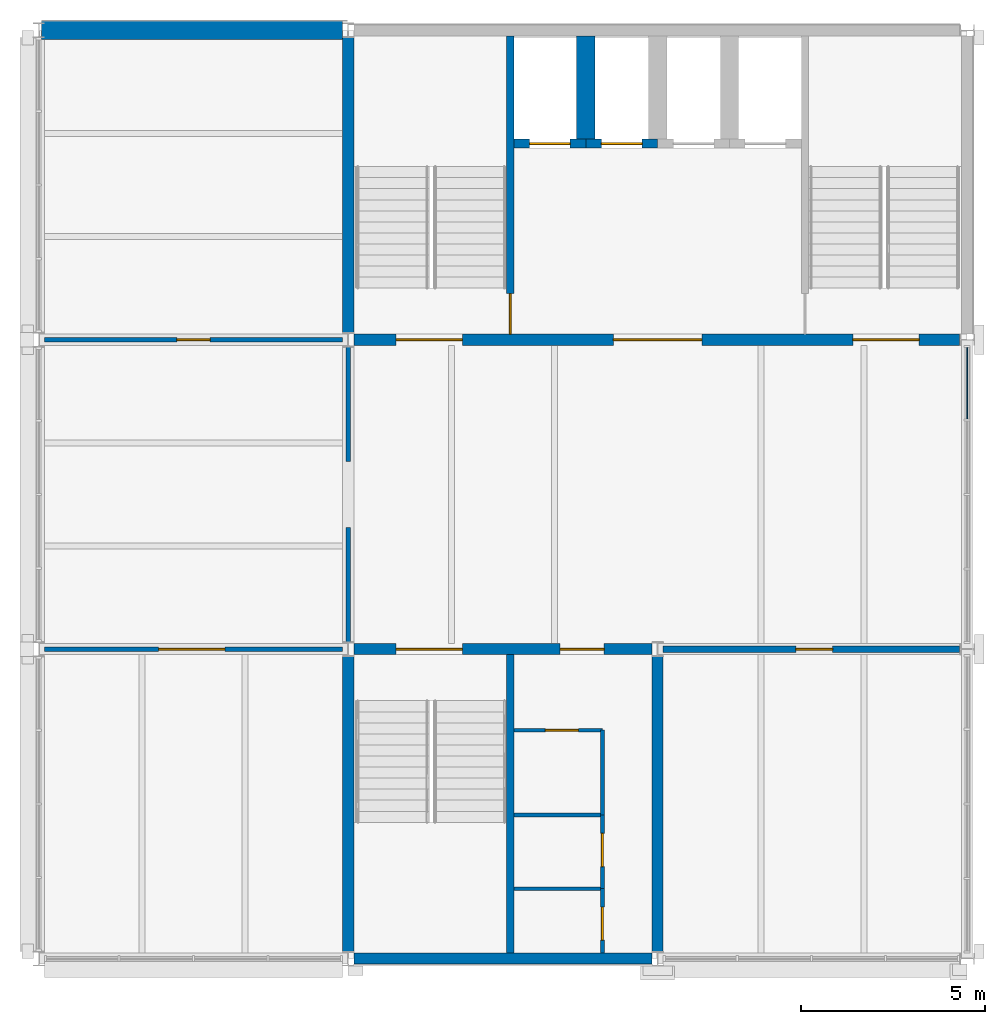
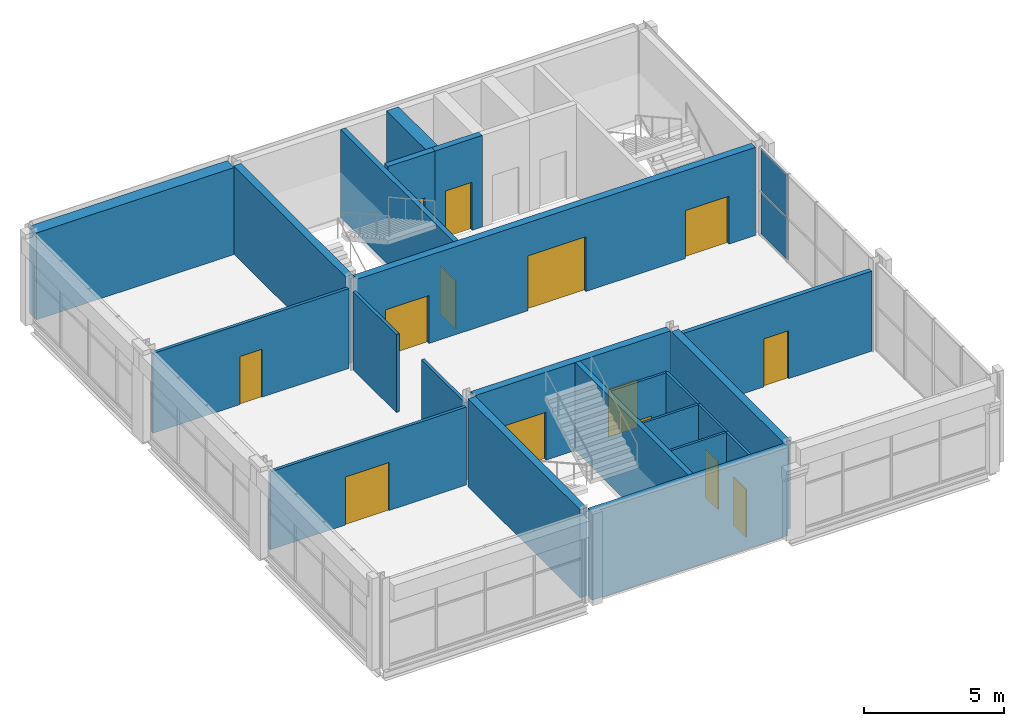
# One storey, part 6 of 8: 23 walls, 14 doors, 2 plates, 14 openings, 1 element without a shape of its own.
"""IFC4 building model written with IfcOpenShell, lengths in metres."""

from ifc_helpers import new_model, si_unit, direction, frame, frame_2d, origin, origin_2d, place, context, subcontext, project, spatial, rectangle, extrude, material, layer, layer_set, type_object, element, fill, aggregate, save


model = new_model("IFC4")

# Units and contexts
model_context = context("Model", 3, precision=1e-05, world=origin(), true_north=direction((0.0, 1.0)))
body_context = subcontext(model_context, "Body", "Model", "MODEL_VIEW")
ifc_project = project(units=[si_unit("LENGTHUNIT", "METRE"), si_unit("AREAUNIT", "SQUARE_METRE"), si_unit("VOLUMEUNIT", "CUBIC_METRE"), si_unit("PLANEANGLEUNIT", "RADIAN"), si_unit("MASSUNIT", "GRAM", prefix="KILO")], contexts=[model_context])

# Site, building, storey
site_placement = place(None, origin())
site = spatial("IfcSite", under=ifc_project, at=site_placement, CompositionType="ELEMENT")
building_placement = place(site_placement, origin())
building = spatial("IfcBuilding", under=site, at=building_placement, Name="Galleria Vessillo Department Store", CompositionType="ELEMENT")
storey_placement = place(building_placement, frame((0.0, 0.0, 55.60009765625)))
storey = spatial("IfcBuildingStorey", under=building, at=storey_placement, Name="L12", CompositionType="ELEMENT", Elevation=55.60009765625)

# Curtain wall, plates
ifc_material_1 = material(Name="Aluminium and glass curtain wall", Category="aluminium")
ifc_layer_1 = layer(ifc_material_1, 0.159912109375)
ifc_layer_set_1 = layer_set([ifc_layer_1], Name="Aluminium and glass curtain wall")
curtain_wall_type = type_object("IfcCurtainWallType", Name="Tower curtain wall CW4 2100 module", PredefinedType="NOTDEFINED", material=ifc_layer_set_1)
curtain_wall_placement = place(storey_placement, origin())
curtain_wall = element("IfcCurtainWall", 1, at=curtain_wall_placement, inside=storey, type_object=curtain_wall_type, Name="Tower curtain wall CW4 2100 module TE-L12-02", PredefinedType="NOTDEFINED")
ifc_material_2 = material(Name="Glass laminated 44.2 low-e", Category="glass")
ifc_layer_2 = layer(ifc_material_2, 0.028076171875)
ifc_layer_set_2 = layer_set([ifc_layer_2], Name="Glass laminated 44.2 low-e")
plate_type_1 = type_object("IfcPlateType", Name="Laminated glass panel 28 mm", PredefinedType="CURTAIN_PANEL", material=ifc_layer_set_2)
plate_1_placement = place(storey_placement, frame((117.60009765625, 53.422607421875, 1.955078125), z_axis=(0.0, 0.0, 1.0), x_axis=(0.0, 1.0, 0.0)))
plate_1 = element("IfcPlate", 2, at=plate_1_placement, type_object=plate_type_1, Name="CW4 panel 4.2", PredefinedType="CURTAIN_PANEL", context=body_context, shape_type="SweptSolid", body=[
    extrude(rectangle(XDim=1.93505859375, YDim=0.028076171875, at=origin_2d()), origin(), (0.0, 0.0, 1.0), 1.835205078125),
])
ifc_material_3 = material(Name="Limestone spandrel on aluminium tray", Category="masonry")
ifc_layer_3 = layer(ifc_material_3, 0.028076171875)
ifc_layer_set_3 = layer_set([ifc_layer_3], Name="Limestone spandrel on aluminium tray")
plate_type_2 = type_object("IfcPlateType", Name="Stone spandrel panel 28 mm", PredefinedType="CURTAIN_PANEL", material=ifc_layer_set_3)
plate_2_placement = place(storey_placement, frame((117.60009765625, 53.422607421875, 0.06005859375), z_axis=(0.0, 0.0, 1.0), x_axis=(0.0, 1.0, 0.0)))
plate_2 = element("IfcPlate", 3, at=plate_2_placement, type_object=plate_type_2, Name="CW4 panel 4.1", PredefinedType="CURTAIN_PANEL", context=body_context, shape_type="SweptSolid", body=[
    extrude(rectangle(XDim=1.93505859375, YDim=0.028076171875, at=origin_2d()), origin(), (0.0, 0.0, 1.0), 1.8349609375),
])
aggregate(curtain_wall, [plate_2, plate_1])

# Wall, opening, door
ifc_material_4 = material(Name="Acoustic gypsum board partition")
ifc_layer_4 = layer(ifc_material_4, 0.175048828125)
ifc_layer_set_4 = layer_set([ifc_layer_4], Name="Acoustic gypsum board partition")
wall_type_1 = type_object("IfcWallType", Name="Acoustic conference partition 175 mm", PredefinedType="PARTITIONING", material=ifc_layer_set_4)
wall_1_placement = place(storey_placement, frame((109.349853515625, 46.199951171875, 0.0), z_axis=(0.0, 0.0, 1.0), x_axis=(1.0, 0.0, 0.0)))
wall_1 = element("IfcWall", 4, at=wall_1_placement, inside=storey, type_object=wall_type_1, Name="Partition wall PT6 on L12 no. 008", PredefinedType="PARTITIONING", context=body_context, shape_type="SweptSolid", body=[
    extrude(rectangle(XDim=8.05029296875, YDim=0.175048828125, at=frame_2d((4.025146484375, 0.0))), origin(), (0.0, 0.0, 1.0), 3.5),
])
opening_1_placement = place(wall_1_placement, frame((3.60009765625, 0.0, 0.0)))
opening_1 = element("IfcOpeningElement", 5, at=opening_1_placement, cuts=wall_1, Name="Opening D3405", PredefinedType="OPENING", context=body_context, shape_type="SweptSolid", body=[
    extrude(rectangle(XDim=1.0, YDim=2.10009765625, at=frame_2d((0.5, 1.050048828125))), frame((0.0, 0.09765625, 0.0), z_axis=(0.0, -1.0, 0.0), x_axis=(1.0, 0.0, 0.0)), (0.0, 0.0, 1.0), 0.195068359375),
])
ifc_material_5 = material(Name="Timber and glass door leaf", Category="wood")
door_type_1 = type_object("IfcDoorType", Name="Floor door 1000 single leaf", OperationType="SINGLE_SWING_LEFT", PredefinedType="DOOR", material=ifc_material_5)
door_1_placement = place(opening_1_placement, frame((1.0, 0.0, 0.0), z_axis=(0.0, 0.0, 1.0), x_axis=(-1.0, 0.0, 0.0)))
door_1 = element("IfcDoor", 6, at=door_1_placement, inside=storey, type_object=door_type_1, Name="Door D3405", OperationType="SINGLE_SWING_RIGHT", OverallHeight=2.10009765625, OverallWidth=1.0, PredefinedType="DOOR", context=body_context, shape_type="SweptSolid", body=[
    extrude(rectangle(XDim=1.0, YDim=2.10009765625, at=frame_2d((0.5, 1.050048828125))), frame((0.0, 0.02490234375, 0.0), z_axis=(0.0, -1.0, 0.0), x_axis=(1.0, 0.0, 0.0)), (0.0, 0.0, 1.0), 0.050048828125),
])
fill(opening_1, door_1)

# Wall
ifc_material_6 = material(Name="Solid clay block masonry", Category="masonry")
ifc_layer_5 = layer(ifc_material_6, 0.5)
ifc_layer_set_5 = layer_set([ifc_layer_5], Name="Solid clay block masonry")
wall_type_2 = type_object("IfcWallType", Name="Lift shaft partition wall 500 mm", PredefinedType="SOLIDWALL", material=ifc_layer_set_5)
wall_2_placement = place(storey_placement, frame((107.25, 62.85009765625, 0.0), z_axis=(0.0, 0.0, 1.0), x_axis=(0.0, -1.0, 0.0)))
element("IfcWall", 7, at=wall_2_placement, inside=storey, type_object=wall_type_2, Name="Lift shaft partition wall T1 L12", PredefinedType="SOLIDWALL", context=body_context, shape_type="SweptSolid", body=[
    extrude(rectangle(XDim=2.800048828125, YDim=0.5, at=frame_2d((1.39990234375, 0.0))), origin(), (0.0, 0.0, 1.0), 4.0),
])

# Wall, opening, door
ifc_material_7 = material(Name="Solid clay block masonry", Category="masonry")
ifc_layer_6 = layer(ifc_material_7, 0.25)
ifc_layer_set_6 = layer_set([ifc_layer_6], Name="Solid clay block masonry")
wall_type_3 = type_object("IfcWallType", Name="Lift shaft wall 250 mm", PredefinedType="SOLIDWALL", material=ifc_layer_set_6)
wall_3_placement = place(storey_placement, frame((105.300048828125, 59.925048828125, 0.0), z_axis=(0.0, 0.0, 1.0), x_axis=(1.0, 0.0, 0.0)))
wall_3 = element("IfcWall", 8, at=wall_3_placement, inside=storey, type_object=wall_type_3, Name="Lift shaft wall T1 landing side L12", PredefinedType="SOLIDWALL", context=body_context, shape_type="SweptSolid", body=[
    extrude(rectangle(XDim=1.949951171875, YDim=0.25, at=frame_2d((0.97509765625, 0.0))), origin(), (0.0, 0.0, 1.0), 4.0),
])
opening_2_placement = place(wall_3_placement, frame((0.4248046875, 0.0, 0.0)))
opening_2 = element("IfcOpeningElement", 9, at=opening_2_placement, cuts=wall_3, Name="Opening LD121", PredefinedType="OPENING", context=body_context, shape_type="SweptSolid", body=[
    extrude(rectangle(XDim=1.10009765625, YDim=2.10009765625, at=frame_2d((0.550048828125, 1.050048828125))), frame((0.0, 0.135009765625, 0.0), z_axis=(0.0, -1.0, 0.0), x_axis=(1.0, 0.0, 0.0)), (0.0, 0.0, 1.0), 0.27001953125),
])
ifc_material_8 = material(Name="Stainless steel lift door panel", Category="steel")
door_type_2 = type_object("IfcDoorType", Name="Lift landing door LD110 sliding 1100 x 2100", OperationType="SLIDING_TO_LEFT", PredefinedType="DOOR", material=ifc_material_8)
door_2_placement = place(opening_2_placement, frame((1.10009765625, 0.0, 0.0), z_axis=(0.0, 0.0, 1.0), x_axis=(-1.0, 0.0, 0.0)))
door_2 = element("IfcDoor", 10, at=door_2_placement, inside=storey, type_object=door_type_2, Name="Lift landing door T1 L12", OperationType="SLIDING_TO_RIGHT", OverallHeight=2.10009765625, OverallWidth=1.10009765625, PredefinedType="DOOR", context=body_context, shape_type="SweptSolid", body=[
    extrude(rectangle(XDim=1.10009765625, YDim=2.10009765625, at=frame_2d((0.550048828125, 1.050048828125))), frame((0.0, 0.02490234375, 0.0), z_axis=(0.0, -1.0, 0.0), x_axis=(1.0, 0.0, 0.0)), (0.0, 0.0, 1.0), 0.050048828125),
])
fill(opening_2, door_2)

wall_4_placement = place(storey_placement, frame((107.25, 59.925048828125, 0.0), z_axis=(0.0, 0.0, 1.0), x_axis=(1.0, 0.0, 0.0)))
wall_4 = element("IfcWall", 11, at=wall_4_placement, inside=storey, type_object=wall_type_3, Name="Lift shaft wall T2 landing side L12", PredefinedType="SOLIDWALL", context=body_context, shape_type="SweptSolid", body=[
    extrude(rectangle(XDim=1.949951171875, YDim=0.25, at=frame_2d((0.97509765625, 0.0))), origin(), (0.0, 0.0, 1.0), 4.0),
])
opening_3_placement = place(wall_4_placement, frame((0.425048828125, 0.0, 0.0)))
opening_3 = element("IfcOpeningElement", 12, at=opening_3_placement, cuts=wall_4, Name="Opening LD122", PredefinedType="OPENING", context=body_context, shape_type="SweptSolid", body=[
    extrude(rectangle(XDim=1.10009765625, YDim=2.10009765625, at=frame_2d((0.550048828125, 1.050048828125))), frame((0.0, 0.135009765625, 0.0), z_axis=(0.0, -1.0, 0.0), x_axis=(1.0, 0.0, 0.0)), (0.0, 0.0, 1.0), 0.27001953125),
])
door_3_placement = place(opening_3_placement, frame((1.10009765625, 0.0, 0.0), z_axis=(0.0, 0.0, 1.0), x_axis=(-1.0, 0.0, 0.0)))
door_3 = element("IfcDoor", 13, at=door_3_placement, inside=storey, type_object=door_type_2, Name="Lift landing door T2 L12", OperationType="SLIDING_TO_RIGHT", OverallHeight=2.10009765625, OverallWidth=1.10009765625, PredefinedType="DOOR", context=body_context, shape_type="SweptSolid", body=[
    extrude(rectangle(XDim=1.10009765625, YDim=2.10009765625, at=frame_2d((0.550048828125, 1.050048828125))), frame((0.0, 0.02490234375, 0.0), z_axis=(0.0, -1.0, 0.0), x_axis=(1.0, 0.0, 0.0)), (0.0, 0.0, 1.0), 0.050048828125),
])
fill(opening_3, door_3)

ifc_material_9 = material(Name="Gypsum board partition")
ifc_layer_7 = layer(ifc_material_9, 0.125)
ifc_layer_set_7 = layer_set([ifc_layer_7], Name="Gypsum board partition")
wall_type_4 = type_object("IfcWallType", Name="Office partition 125 mm", PredefinedType="PARTITIONING", material=ifc_layer_set_7)
wall_5_placement = place(storey_placement, frame((92.5498046875, 46.199951171875, 0.0), z_axis=(0.0, 0.0, 1.0), x_axis=(1.0, 0.0, 0.0)))
wall_5 = element("IfcWall", 14, at=wall_5_placement, inside=storey, type_object=wall_type_4, Name="Partition wall PT2 on L12 no. 007", PredefinedType="PARTITIONING", context=body_context, shape_type="SweptSolid", body=[
    extrude(rectangle(XDim=8.100341796875, YDim=0.125, at=frame_2d((4.05029296875, 0.0))), origin(), (0.0, 0.0, 1.0), 3.409912109375),
])
opening_4_placement = place(wall_5_placement, frame((3.10009765625, 0.0, 0.0)))
opening_4 = element("IfcOpeningElement", 15, at=opening_4_placement, cuts=wall_5, Name="Opening D3404", PredefinedType="OPENING", context=body_context, shape_type="SweptSolid", body=[
    extrude(rectangle(XDim=1.800048828125, YDim=2.10009765625, at=frame_2d((0.89990234375, 1.050048828125))), frame((0.0, 0.072509765625, 0.0), z_axis=(0.0, -1.0, 0.0), x_axis=(1.0, 0.0, 0.0)), (0.0, 0.0, 1.0), 0.14501953125),
])
ifc_material_10 = material(Name="Timber and glass door leaf", Category="wood")
door_type_3 = type_object("IfcDoorType", Name="Floor door 1800 double leaf", OperationType="DOUBLE_DOOR_SINGLE_SWING", PredefinedType="DOOR", material=ifc_material_10)
door_4_placement = place(opening_4_placement, origin())
door_4 = element("IfcDoor", 16, at=door_4_placement, inside=storey, type_object=door_type_3, Name="Door D3404", OperationType="DOUBLE_DOOR_SINGLE_SWING", OverallHeight=2.10009765625, OverallWidth=1.800048828125, PredefinedType="DOOR", context=body_context, shape_type="SweptSolid", body=[
    extrude(rectangle(XDim=1.800048828125, YDim=2.10009765625, at=frame_2d((0.89990234375, 1.050048828125))), frame((0.0, 0.02490234375, 0.0), z_axis=(0.0, -1.0, 0.0), x_axis=(1.0, 0.0, 0.0)), (0.0, 0.0, 1.0), 0.050048828125),
])
fill(opening_4, door_4)

# Walls
for number, where, z_axis, x_axis, name in (
    (17, (100.800048828125, 46.39990234375, 0.0), (0.0, 0.0, 1.0), (0.0, 1.0, 0.0), "Partition wall PT2 on L12 no. 009"),
    (18, (100.800048828125, 51.300048828125, 0.0), (0.0, 0.0, 1.0), (0.0, 1.0, 0.0), "Partition wall PT2 on L12 no. 010"),
):
    element("IfcWall", number, at=place(storey_placement, frame(where, z_axis=z_axis, x_axis=x_axis)), inside=storey, type_object=wall_type_4, Name=name, PredefinedType="PARTITIONING", context=body_context, shape_type="SweptSolid", body=[
        extrude(rectangle(XDim=3.10009765625, YDim=0.125, at=frame_2d((1.550048828125, 0.0))), origin(), (0.0, 0.0, 1.0), 3.409912109375),
    ])

# Wall, opening, door
wall_6_placement = place(storey_placement, frame((92.5498046875, 54.60009765625, 0.0), z_axis=(0.0, 0.0, 1.0), x_axis=(1.0, 0.0, 0.0)))
wall_6 = element("IfcWall", 19, at=wall_6_placement, inside=storey, type_object=wall_type_4, Name="Partition wall PT2 on L12 no. 011", PredefinedType="PARTITIONING", context=body_context, shape_type="SweptSolid", body=[
    extrude(rectangle(XDim=8.100341796875, YDim=0.125, at=frame_2d((4.05029296875, 0.0))), origin(), (0.0, 0.0, 1.0), 3.489990234375),
])
opening_5_placement = place(wall_6_placement, frame((3.60009765625, 0.0, 0.0)))
opening_5 = element("IfcOpeningElement", 20, at=opening_5_placement, cuts=wall_6, Name="Opening D3406", PredefinedType="OPENING", context=body_context, shape_type="SweptSolid", body=[
    extrude(rectangle(XDim=0.89990234375, YDim=2.10009765625, at=frame_2d((0.449951171875, 1.050048828125))), frame((0.0, 0.072509765625, 0.0), z_axis=(0.0, -1.0, 0.0), x_axis=(1.0, 0.0, 0.0)), (0.0, 0.0, 1.0), 0.14501953125),
])
ifc_material_11 = material(Name="Timber and glass door leaf", Category="wood")
door_type_4 = type_object("IfcDoorType", Name="Floor door 900 single leaf", OperationType="SINGLE_SWING_LEFT", PredefinedType="DOOR", material=ifc_material_11)
door_5_placement = place(opening_5_placement, origin())
door_5 = element("IfcDoor", 21, at=door_5_placement, inside=storey, type_object=door_type_4, Name="Door D3406", OperationType="SINGLE_SWING_RIGHT", OverallHeight=2.10009765625, OverallWidth=0.89990234375, PredefinedType="DOOR", context=body_context, shape_type="SweptSolid", body=[
    extrude(rectangle(XDim=0.89990234375, YDim=2.10009765625, at=frame_2d((0.449951171875, 1.050048828125))), frame((0.0, 0.02490234375, 0.0), z_axis=(0.0, -1.0, 0.0), x_axis=(1.0, 0.0, 0.0)), (0.0, 0.0, 1.0), 0.050048828125),
])
fill(opening_5, door_5)

# Wall, openings, doors
ifc_material_12 = material(Name="Concrete C32/40 reinforced", Category="concrete")
ifc_layer_8 = layer(ifc_material_12, 0.300048828125)
ifc_layer_set_8 = layer_set([ifc_layer_8], Name="Concrete C32/40 reinforced")
wall_type_5 = type_object("IfcWallType", Name="Reinforced concrete core wall 300 mm", PredefinedType="SHEAR", material=ifc_layer_set_8)
wall_7_placement = place(storey_placement, frame((100.949951171875, 54.60009765625, 0.0), z_axis=(0.0, 0.0, 1.0), x_axis=(1.0, 0.0, 0.0)))
wall_7 = element("IfcWall", 22, at=wall_7_placement, inside=storey, type_object=wall_type_5, Name="S-CW-TC-INTERIOR-L12", PredefinedType="SHEAR", context=body_context, shape_type="SweptSolid", body=[
    extrude(rectangle(XDim=16.4501953125, YDim=0.300048828125, at=frame_2d((8.22509765625, 0.0))), origin(), (0.0, 0.0, 1.0), 3.85009765625),
])
opening_6_placement = place(wall_7_placement, frame((1.14990234375, 0.0, 0.0)))
opening_6 = element("IfcOpeningElement", 23, at=opening_6_placement, cuts=wall_7, Name="Opening D5302", PredefinedType="OPENING", context=body_context, shape_type="SweptSolid", body=[
    extrude(rectangle(XDim=1.800048828125, YDim=2.10009765625, at=frame_2d((0.89990234375, 1.050048828125))), frame((0.0, 0.16015625, 0.0), z_axis=(0.0, -1.0, 0.0), x_axis=(1.0, 0.0, 0.0)), (0.0, 0.0, 1.0), 0.320068359375),
])
opening_7_placement = place(wall_7_placement, frame((13.5498046875, 0.0, 0.0)))
opening_7 = element("IfcOpeningElement", 24, at=opening_7_placement, cuts=wall_7, Name="Opening D5303", PredefinedType="OPENING", context=body_context, shape_type="SweptSolid", body=[
    extrude(rectangle(XDim=1.800048828125, YDim=2.10009765625, at=frame_2d((0.89990234375, 1.050048828125))), frame((0.0, 0.16015625, 0.0), z_axis=(0.0, -1.0, 0.0), x_axis=(1.0, 0.0, 0.0)), (0.0, 0.0, 1.0), 0.320068359375),
])
opening_8_placement = place(wall_7_placement, frame((7.0498046875, 0.0, 0.0)))
opening_8 = element("IfcOpeningElement", 25, at=opening_8_placement, cuts=wall_7, Name="Opening D5304", PredefinedType="OPENING", context=body_context, shape_type="SweptSolid", body=[
    extrude(rectangle(XDim=2.39990234375, YDim=2.39990234375, at=frame_2d((1.199951171875, 1.199951171875))), frame((0.0, 0.16015625, 0.0), z_axis=(0.0, -1.0, 0.0), x_axis=(1.0, 0.0, 0.0)), (0.0, 0.0, 1.0), 0.320068359375),
])
ifc_material_13 = material(Name="Fire-rated steel door leaf", Category="steel")
door_type_5 = type_object("IfcDoorType", Name="Door D180F double leaf 1800 x 2100", OperationType="DOUBLE_DOOR_SINGLE_SWING", PredefinedType="DOOR", material=ifc_material_13)
door_6_placement = place(opening_6_placement, origin())
door_6 = element("IfcDoor", 26, at=door_6_placement, inside=storey, type_object=door_type_5, Name="Lobby door TC-ST8-FLOOR L12", OperationType="DOUBLE_DOOR_SINGLE_SWING", OverallHeight=2.10009765625, OverallWidth=1.800048828125, PredefinedType="DOOR", context=body_context, shape_type="SweptSolid", body=[
    extrude(rectangle(XDim=1.800048828125, YDim=2.10009765625, at=frame_2d((0.89990234375, 1.050048828125))), frame((0.0, 0.02490234375, 0.0), z_axis=(0.0, -1.0, 0.0), x_axis=(1.0, 0.0, 0.0)), (0.0, 0.0, 1.0), 0.050048828125),
])
fill(opening_6, door_6)
door_7_placement = place(opening_7_placement, origin())
door_7 = element("IfcDoor", 27, at=door_7_placement, inside=storey, type_object=door_type_5, Name="Lobby door TC-ST9-FLOOR L12", OperationType="DOUBLE_DOOR_SINGLE_SWING", OverallHeight=2.10009765625, OverallWidth=1.800048828125, PredefinedType="DOOR", context=body_context, shape_type="SweptSolid", body=[
    extrude(rectangle(XDim=1.800048828125, YDim=2.10009765625, at=frame_2d((0.89990234375, 1.050048828125))), frame((0.0, 0.02490234375, 0.0), z_axis=(0.0, -1.0, 0.0), x_axis=(1.0, 0.0, 0.0)), (0.0, 0.0, 1.0), 0.050048828125),
])
fill(opening_7, door_7)
ifc_material_14 = material(Name="Fire-rated steel door leaf", Category="steel")
door_type_6 = type_object("IfcDoorType", Name="Door D240F double leaf 2400 x 2400", OperationType="DOUBLE_DOOR_SINGLE_SWING", PredefinedType="DOOR", material=ifc_material_14)
door_8_placement = place(opening_8_placement, frame((2.39990234375, 0.0, 0.0), z_axis=(0.0, 0.0, 1.0), x_axis=(-1.0, 0.0, 0.0)))
door_8 = element("IfcDoor", 28, at=door_8_placement, inside=storey, type_object=door_type_6, Name="Lobby door TC-LOBBY-FLOOR L12", OperationType="DOUBLE_DOOR_SINGLE_SWING", OverallHeight=2.39990234375, OverallWidth=2.39990234375, PredefinedType="DOOR", context=body_context, shape_type="SweptSolid", body=[
    extrude(rectangle(XDim=2.39990234375, YDim=2.39990234375, at=frame_2d((1.199951171875, 1.199951171875))), frame((0.0, 0.02490234375, 0.0), z_axis=(0.0, -1.0, 0.0), x_axis=(1.0, 0.0, 0.0)), (0.0, 0.0, 1.0), 0.050048828125),
])
fill(opening_8, door_8)

# Wall
wall_8_placement = place(storey_placement, frame((100.800048828125, 54.800048828125, 0.0), z_axis=(0.0, 0.0, 1.0), x_axis=(0.0, 1.0, 0.0)))
element("IfcWall", 29, at=wall_8_placement, inside=storey, type_object=wall_type_5, Name="S-CW-TC-WEST-L12", PredefinedType="SHEAR", context=body_context, shape_type="SweptSolid", body=[
    extrude(rectangle(XDim=8.0, YDim=0.300048828125, at=frame_2d((4.0, 0.0))), origin(), (0.0, 0.0, 1.0), 3.85009765625),
])

# Wall, openings, doors
wall_9_placement = place(storey_placement, frame((100.949951171875, 46.199951171875, 0.0), z_axis=(0.0, 0.0, 1.0), x_axis=(1.0, 0.0, 0.0)))
wall_9 = element("IfcWall", 30, at=wall_9_placement, inside=storey, type_object=wall_type_5, Name="S-CW-TS-INTERIOR-L12", PredefinedType="SHEAR", context=body_context, shape_type="SweptSolid", body=[
    extrude(rectangle(XDim=8.10009765625, YDim=0.300048828125, at=frame_2d((4.050048828125, 0.0))), origin(), (0.0, 0.0, 1.0), 3.85009765625),
])
opening_9_placement = place(wall_9_placement, frame((1.14990234375, 0.0, 0.0)))
opening_9 = element("IfcOpeningElement", 31, at=opening_9_placement, cuts=wall_9, Name="Opening D5333", PredefinedType="OPENING", context=body_context, shape_type="SweptSolid", body=[
    extrude(rectangle(XDim=1.800048828125, YDim=2.10009765625, at=frame_2d((0.89990234375, 1.050048828125))), frame((0.0, 0.16015625, 0.0), z_axis=(0.0, -1.0, 0.0), x_axis=(1.0, 0.0, 0.0)), (0.0, 0.0, 1.0), 0.320068359375),
])
opening_10_placement = place(wall_9_placement, frame((5.599853515625, 0.0, 0.0)))
opening_10 = element("IfcOpeningElement", 32, at=opening_10_placement, cuts=wall_9, Name="Opening D5334", PredefinedType="OPENING", context=body_context, shape_type="SweptSolid", body=[
    extrude(rectangle(XDim=1.199951171875, YDim=2.10009765625, at=frame_2d((0.60009765625, 1.050048828125))), frame((0.0, 0.16015625, 0.0), z_axis=(0.0, -1.0, 0.0), x_axis=(1.0, 0.0, 0.0)), (0.0, 0.0, 1.0), 0.320068359375),
])
ifc_material_15 = material(Name="Fire-rated steel door leaf", Category="steel")
door_type_7 = type_object("IfcDoorType", Name="Door D120F fire door 1200 x 2100", OperationType="SINGLE_SWING_LEFT", PredefinedType="DOOR", material=ifc_material_15)
door_9_placement = place(opening_10_placement, frame((1.199951171875, 0.0, 0.0), z_axis=(0.0, 0.0, 1.0), x_axis=(-1.0, 0.0, 0.0)))
door_9 = element("IfcDoor", 33, at=door_9_placement, inside=storey, type_object=door_type_7, Name="Lobby door TS-WC-FLOOR L12", OperationType="SINGLE_SWING_LEFT", OverallHeight=2.10009765625, OverallWidth=1.199951171875, PredefinedType="DOOR", context=body_context, shape_type="SweptSolid", body=[
    extrude(rectangle(XDim=1.199951171875, YDim=2.10009765625, at=frame_2d((0.60009765625, 1.050048828125))), frame((0.0, 0.02490234375, 0.0), z_axis=(0.0, -1.0, 0.0), x_axis=(1.0, 0.0, 0.0)), (0.0, 0.0, 1.0), 0.050048828125),
])
fill(opening_10, door_9)
door_10_placement = place(opening_9_placement, frame((1.800048828125, 0.0, 0.0), z_axis=(0.0, 0.0, 1.0), x_axis=(-1.0, 0.0, 0.0)))
door_10 = element("IfcDoor", 34, at=door_10_placement, inside=storey, type_object=door_type_5, Name="Lobby door TS-ST12-FLOOR L12", OperationType="DOUBLE_DOOR_SINGLE_SWING", OverallHeight=2.10009765625, OverallWidth=1.800048828125, PredefinedType="DOOR", context=body_context, shape_type="SweptSolid", body=[
    extrude(rectangle(XDim=1.800048828125, YDim=2.10009765625, at=frame_2d((0.89990234375, 1.050048828125))), frame((0.0, 0.02490234375, 0.0), z_axis=(0.0, -1.0, 0.0), x_axis=(1.0, 0.0, 0.0)), (0.0, 0.0, 1.0), 0.050048828125),
])
fill(opening_9, door_10)

# Walls
for number, where, z_axis, x_axis, name in (
    (35, (100.800048828125, 38.0, 0.0), (0.0, 0.0, 1.0), (0.0, 1.0, 0.0), "S-CW-TS-WEST-L12"),
    (36, (109.199951171875, 38.0, 0.0), (0.0, 0.0, 1.0), (0.0, 1.0, 0.0), "S-CW-TS-EAST-L12"),
):
    element("IfcWall", number, at=place(storey_placement, frame(where, z_axis=z_axis, x_axis=x_axis)), inside=storey, type_object=wall_type_5, Name=name, PredefinedType="SHEAR", context=body_context, shape_type="SweptSolid", body=[
        extrude(rectangle(XDim=8.0, YDim=0.300048828125, at=frame_2d((4.0, 0.0))), origin(), (0.0, 0.0, 1.0), 3.85009765625),
    ])
ifc_material_16 = material(Name="Concrete C32/40 reinforced", Category="concrete")
ifc_layer_9 = layer(ifc_material_16, 0.300048828125)
ifc_layer_set_9 = layer_set([ifc_layer_9], Name="Concrete C32/40 reinforced")
wall_type_6 = type_object("IfcWallType", Name="Reinforced concrete core wall 300 mm, external", PredefinedType="SHEAR", material=ifc_layer_set_9)
wall_10_placement = place(storey_placement, frame((100.949951171875, 37.800048828125, 0.0), z_axis=(0.0, 0.0, 1.0), x_axis=(1.0, 0.0, 0.0)))
element("IfcWall", 37, at=wall_10_placement, inside=storey, type_object=wall_type_6, Name="S-CW-TS-PARTY-L12", PredefinedType="SHEAR", context=body_context, shape_type="SweptSolid", body=[
    extrude(rectangle(XDim=8.10009765625, YDim=0.300048828125, at=frame_2d((4.050048828125, 0.0))), origin(), (0.0, 0.0, 1.0), 3.85009765625),
])
ifc_material_17 = material(Name="Concrete C32/40 reinforced", Category="concrete")
ifc_layer_10 = layer(ifc_material_17, 0.5)
ifc_layer_set_10 = layer_set([ifc_layer_10], Name="Concrete C32/40 reinforced")
wall_type_7 = type_object("IfcWallType", Name="Reinforced concrete party wall 500 mm", PredefinedType="SHEAR", material=ifc_layer_set_10)
wall_11_placement = place(storey_placement, frame((92.474853515625, 63.0, 0.0), z_axis=(0.0, 0.0, 1.0), x_axis=(1.0, 0.0, 0.0)))
element("IfcWall", 38, at=wall_11_placement, inside=storey, type_object=wall_type_7, Name="S-TN-L12-01", PredefinedType="SHEAR", context=body_context, shape_type="SweptSolid", body=[
    extrude(rectangle(XDim=8.17529296875, YDim=0.5, at=frame_2d((4.087646484375, 0.0))), origin(), (0.0, 0.0, 1.0), 3.800048828125),
])

# Wall, opening, door
ifc_material_18 = material(Name="Concrete C32/40 reinforced", Category="concrete")
ifc_layer_11 = layer(ifc_material_18, 0.199951171875)
ifc_layer_set_11 = layer_set([ifc_layer_11], Name="Concrete C32/40 reinforced")
wall_type_8 = type_object("IfcWallType", Name="Reinforced concrete stair enclosure wall 200 mm", PredefinedType="SHEAR", material=ifc_layer_set_11)
wall_12_placement = place(storey_placement, frame((105.199951171875, 62.85009765625, 0.0), z_axis=(0.0, 0.0, 1.0), x_axis=(0.0, -1.0, 0.0)))
wall_12 = element("IfcWall", 39, at=wall_12_placement, inside=storey, type_object=wall_type_8, Name="Stair enclosure wall TC L12", PredefinedType="SHEAR", context=body_context, shape_type="SweptSolid", body=[
    extrude(rectangle(XDim=8.10009765625, YDim=0.199951171875, at=frame_2d((4.050048828125, 0.0))), origin(), (0.0, 0.0, 1.0), 3.849853515625),
])
opening_11_placement = place(wall_12_placement, frame((7.0, 0.0, 0.0)))
opening_11 = element("IfcOpeningElement", 40, at=opening_11_placement, cuts=wall_12, Name="Opening D5300", PredefinedType="OPENING", context=body_context, shape_type="SweptSolid", body=[
    extrude(rectangle(XDim=1.11009765625, YDim=2.10009765625, at=frame_2d((0.554931640625, 1.050048828125))), frame((0.0, 0.10986328125, 0.0), z_axis=(0.0, -1.0, 0.0), x_axis=(1.0, 0.0, 0.0)), (0.0, 0.0, 1.0), 0.219970703125),
])
ifc_material_19 = material(Name="Fire-rated steel door leaf", Category="steel")
door_type_8 = type_object("IfcDoorType", Name="Door D110F stair door 1100 x 2100", OperationType="SINGLE_SWING_LEFT", PredefinedType="DOOR", material=ifc_material_19)
door_11_placement = place(opening_11_placement, frame((1.10009765625, 0.0, 0.0), z_axis=(0.0, 0.0, 1.0), x_axis=(-1.0, 0.0, 0.0)))
door_11 = element("IfcDoor", 41, at=door_11_placement, inside=storey, type_object=door_type_8, Name="Stair door TC-ST8-LOBBY L12", OperationType="SINGLE_SWING_LEFT", OverallHeight=2.10009765625, OverallWidth=1.10009765625, PredefinedType="DOOR", context=body_context, shape_type="SweptSolid", body=[
    extrude(rectangle(XDim=1.10009765625, YDim=2.10009765625, at=frame_2d((0.550048828125, 1.050048828125))), frame((0.0, 0.02490234375, 0.0), z_axis=(0.0, -1.0, 0.0), x_axis=(1.0, 0.0, 0.0)), (0.0, 0.0, 1.0), 0.050048828125),
])
fill(opening_11, door_11)

# Wall
wall_13_placement = place(storey_placement, frame((105.199951171875, 37.949951171875, 0.0), z_axis=(0.0, 0.0, 1.0), x_axis=(0.0, 1.0, 0.0)))
element("IfcWall", 42, at=wall_13_placement, inside=storey, type_object=wall_type_8, Name="Stair enclosure wall TS L12", PredefinedType="SHEAR", context=body_context, shape_type="SweptSolid", body=[
    extrude(rectangle(XDim=8.10009765625, YDim=0.199951171875, at=frame_2d((4.050048828125, 0.0))), origin(), (0.0, 0.0, 1.0), 3.849853515625),
])

# Wall, opening, door
ifc_material_20 = material(Name="Moisture-resistant board partition")
ifc_layer_12 = layer(ifc_material_20, 0.10009765625)
ifc_layer_set_12 = layer_set([ifc_layer_12], Name="Moisture-resistant board partition")
wall_type_9 = type_object("IfcWallType", Name="WC and cubicle partition 100 mm", PredefinedType="PARTITIONING", material=ifc_layer_set_12)
wall_14_placement = place(storey_placement, frame((105.300048828125, 44.0, 0.0), z_axis=(0.0, 0.0, 1.0), x_axis=(1.0, 0.0, 0.0)))
wall_14 = element("IfcWall", 43, at=wall_14_placement, inside=storey, type_object=wall_type_9, Name="Partition wall PT1 on L12 no. 001", PredefinedType="PARTITIONING", context=body_context, shape_type="SweptSolid", body=[
    extrude(rectangle(XDim=2.39990234375, YDim=0.10009765625, at=frame_2d((1.199951171875, 0.0))), origin(), (0.0, 0.0, 1.0), 3.780029296875),
])
opening_12_placement = place(wall_14_placement, frame((0.85009765625, 0.0, 0.0)))
opening_12 = element("IfcOpeningElement", 44, at=opening_12_placement, cuts=wall_14, Name="Opening D3401", PredefinedType="OPENING", context=body_context, shape_type="SweptSolid", body=[
    extrude(rectangle(XDim=0.89990234375, YDim=2.10009765625, at=frame_2d((0.449951171875, 1.050048828125))), frame((0.0, 0.06005859375, 0.0), z_axis=(0.0, -1.0, 0.0), x_axis=(1.0, 0.0, 0.0)), (0.0, 0.0, 1.0), 0.1201171875),
])
door_12_placement = place(opening_12_placement, origin())
door_12 = element("IfcDoor", 45, at=door_12_placement, inside=storey, type_object=door_type_4, Name="Door D3401", OperationType="SINGLE_SWING_LEFT", OverallHeight=2.10009765625, OverallWidth=0.89990234375, PredefinedType="DOOR", context=body_context, shape_type="SweptSolid", body=[
    extrude(rectangle(XDim=0.89990234375, YDim=2.10009765625, at=frame_2d((0.449951171875, 1.050048828125))), frame((0.0, 0.02490234375, 0.0), z_axis=(0.0, -1.0, 0.0), x_axis=(1.0, 0.0, 0.0)), (0.0, 0.0, 1.0), 0.050048828125),
])
fill(opening_12, door_12)

# Wall
wall_15_placement = place(storey_placement, frame((107.699951171875, 41.699951171875, 0.0), z_axis=(0.0, 0.0, 1.0), x_axis=(0.0, 1.0, 0.0)))
element("IfcWall", 46, at=wall_15_placement, inside=storey, type_object=wall_type_9, Name="Partition wall PT1 on L12 no. 002", PredefinedType="PARTITIONING", context=body_context, shape_type="SweptSolid", body=[
    extrude(rectangle(XDim=2.300048828125, YDim=0.10009765625, at=frame_2d((1.14990234375, 0.0))), origin(), (0.0, 0.0, 1.0), 3.780029296875),
])

# Wall, opening, door
wall_16_placement = place(storey_placement, frame((107.699951171875, 39.699951171875, 0.0), z_axis=(0.0, 0.0, 1.0), x_axis=(0.0, 1.0, 0.0)))
wall_16 = element("IfcWall", 47, at=wall_16_placement, inside=storey, type_object=wall_type_9, Name="Partition wall PT1 on L12 no. 003", PredefinedType="PARTITIONING", context=body_context, shape_type="SweptSolid", body=[
    extrude(rectangle(XDim=2.0, YDim=0.10009765625, at=frame_2d((1.0, 0.0))), origin(), (0.0, 0.0, 1.0), 3.780029296875),
])
opening_13_placement = place(wall_16_placement, frame((0.60009765625, 0.0, 0.0)))
opening_13 = element("IfcOpeningElement", 48, at=opening_13_placement, cuts=wall_16, Name="Opening D3402", PredefinedType="OPENING", context=body_context, shape_type="SweptSolid", body=[
    extrude(rectangle(XDim=0.89990234375, YDim=2.10009765625, at=frame_2d((0.449951171875, 1.050048828125))), frame((0.0, 0.06005859375, 0.0), z_axis=(0.0, -1.0, 0.0), x_axis=(1.0, 0.0, 0.0)), (0.0, 0.0, 1.0), 0.1201171875),
])
door_13_placement = place(opening_13_placement, frame((0.89990234375, 0.0, 0.0), z_axis=(0.0, 0.0, 1.0), x_axis=(-1.0, 0.0, 0.0)))
door_13 = element("IfcDoor", 49, at=door_13_placement, inside=storey, type_object=door_type_4, Name="Door D3402", OperationType="SINGLE_SWING_RIGHT", OverallHeight=2.10009765625, OverallWidth=0.89990234375, PredefinedType="DOOR", context=body_context, shape_type="SweptSolid", body=[
    extrude(rectangle(XDim=0.89990234375, YDim=2.10009765625, at=frame_2d((0.449951171875, 1.050048828125))), frame((0.0, 0.02490234375, 0.0), z_axis=(0.0, -1.0, 0.0), x_axis=(1.0, 0.0, 0.0)), (0.0, 0.0, 1.0), 0.050048828125),
])
fill(opening_13, door_13)

wall_17_placement = place(storey_placement, frame((107.699951171875, 37.949951171875, 0.0), z_axis=(0.0, 0.0, 1.0), x_axis=(0.0, 1.0, 0.0)))
wall_17 = element("IfcWall", 50, at=wall_17_placement, inside=storey, type_object=wall_type_9, Name="Partition wall PT1 on L12 no. 004", PredefinedType="PARTITIONING", context=body_context, shape_type="SweptSolid", body=[
    extrude(rectangle(XDim=1.75, YDim=0.10009765625, at=frame_2d((0.875, 0.0))), origin(), (0.0, 0.0, 1.0), 3.780029296875),
])
opening_14_placement = place(wall_17_placement, frame((0.35009765625, 0.0, 0.0)))
opening_14 = element("IfcOpeningElement", 51, at=opening_14_placement, cuts=wall_17, Name="Opening D3403", PredefinedType="OPENING", context=body_context, shape_type="SweptSolid", body=[
    extrude(rectangle(XDim=0.89990234375, YDim=2.10009765625, at=frame_2d((0.449951171875, 1.050048828125))), frame((0.0, 0.06005859375, 0.0), z_axis=(0.0, -1.0, 0.0), x_axis=(1.0, 0.0, 0.0)), (0.0, 0.0, 1.0), 0.1201171875),
])
ifc_material_21 = material(Name="Timber and glass door leaf", Category="wood")
door_type_9 = type_object("IfcDoorType", Name="Accessible WC door 900 sliding", OperationType="SLIDING_TO_LEFT", PredefinedType="DOOR", material=ifc_material_21)
door_14_placement = place(opening_14_placement, origin())
door_14 = element("IfcDoor", 52, at=door_14_placement, inside=storey, type_object=door_type_9, Name="Door D3403", OperationType="SLIDING_TO_RIGHT", OverallHeight=2.10009765625, OverallWidth=0.89990234375, PredefinedType="DOOR", context=body_context, shape_type="SweptSolid", body=[
    extrude(rectangle(XDim=0.89990234375, YDim=2.10009765625, at=frame_2d((0.449951171875, 1.050048828125))), frame((0.0, 0.02490234375, 0.0), z_axis=(0.0, -1.0, 0.0), x_axis=(1.0, 0.0, 0.0)), (0.0, 0.0, 1.0), 0.050048828125),
])
fill(opening_14, door_14)

# Walls
for number, where, z_axis, x_axis, name in (
    (53, (105.300048828125, 41.699951171875, 0.0), (0.0, 0.0, 1.0), (1.0, 0.0, 0.0), "Partition wall PT1 on L12 no. 005"),
    (54, (105.300048828125, 39.699951171875, 0.0), (0.0, 0.0, 1.0), (1.0, 0.0, 0.0), "Partition wall PT1 on L12 no. 006"),
):
    element("IfcWall", number, at=place(storey_placement, frame(where, z_axis=z_axis, x_axis=x_axis)), inside=storey, type_object=wall_type_9, Name=name, PredefinedType="PARTITIONING", context=body_context, shape_type="SweptSolid", body=[
        extrude(rectangle(XDim=2.39990234375, YDim=0.10009765625, at=frame_2d((1.199951171875, 0.0))), origin(), (0.0, 0.0, 1.0), 3.780029296875),
    ])

save(model, "model.ifc")
